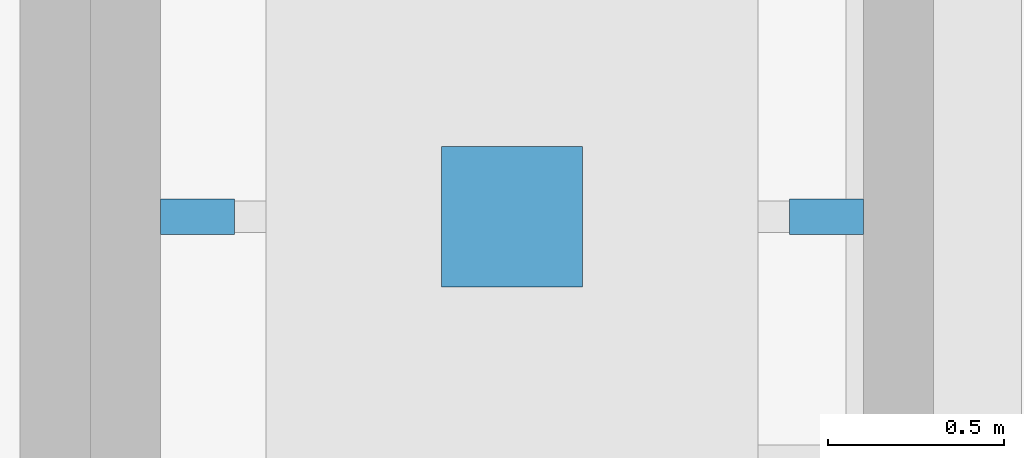
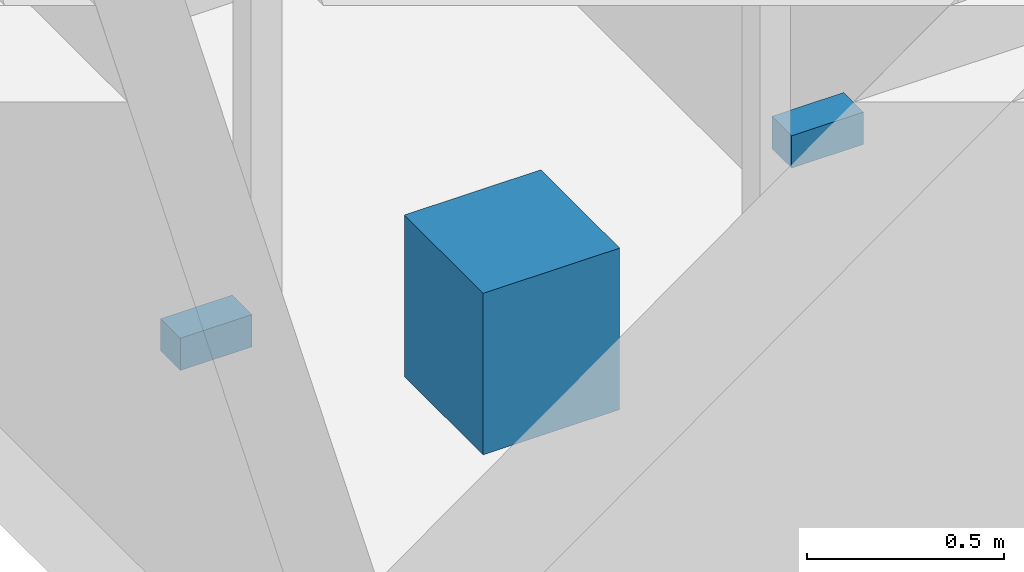
# One storey, part 165 of 250: 3 discrete accessories.
"""IFC4 building model written with IfcOpenShell, lengths in metres."""

from ifc_helpers import new_model, si_unit, direction, frame, origin, origin_2d, place, context, subcontext, project, spatial, rectangle, extrude, material, type_object, element, save


model = new_model("IFC4")

# Units and contexts
model_context = context("Model", 3, precision=1e-05, world=origin(), true_north=direction((0.0, 1.0)))
body_context = subcontext(model_context, "Body", "Model", "MODEL_VIEW")
ifc_project = project(units=[si_unit("LENGTHUNIT", "METRE"), si_unit("AREAUNIT", "SQUARE_METRE"), si_unit("VOLUMEUNIT", "CUBIC_METRE"), si_unit("PLANEANGLEUNIT", "RADIAN"), si_unit("MASSUNIT", "GRAM", prefix="KILO")], contexts=[model_context])

# Site, building, storey
site_placement = place(None, origin())
site = spatial("IfcSite", under=ifc_project, at=site_placement, CompositionType="ELEMENT")
building_placement = place(site_placement, origin())
building = spatial("IfcBuilding", under=site, at=building_placement, Name="Baradari Gate Terminus", CompositionType="ELEMENT")
storey_placement = place(building_placement, origin())
storey = spatial("IfcBuildingStorey", under=building, at=storey_placement, Name="L00", CompositionType="ELEMENT", Elevation=0.0)

# Discrete accessories
ifc_material_1 = material(Name="Steel S355", Category="steel")
discrete_accessory_type_1 = type_object("IfcDiscreteAccessoryType", Name="Lift buffer BF-1 400x400x500", PredefinedType="SHOE", material=ifc_material_1)
discrete_accessory_placement = place(storey_placement, frame((124.800048828125, 100.25, -1.60009765625), z_axis=(0.0, 0.0, 1.0), x_axis=(1.0, 0.0, 0.0)))
element("IfcDiscreteAccessory", 1, at=discrete_accessory_placement, inside=storey, type_object=discrete_accessory_type_1, Name="Lift buffer LH2", PredefinedType="SHOE", context=body_context, shape_type="SweptSolid", body=[
    extrude(rectangle(XDim=0.39990234375, YDim=0.39990234375, at=origin_2d()), origin(), (0.0, 0.0, 1.0), 0.5),
])
ifc_material_2 = material(Name="Steel S355", Category="steel")
discrete_accessory_type_2 = type_object("IfcDiscreteAccessoryType", Name="Lift rail bracket RB-L1 100x100", PredefinedType="BRACKET", material=ifc_material_2)
for number, where, z_axis, x_axis, name in (
    (2, (123.905029296875, 100.25, -1.150146484375), (0.0, 0.0, 1.0), (1.0, 0.0, 0.0), "Lift rail bracket LH2 1A"),
    (3, (125.695068359375, 100.25, -1.150146484375), (0.0, 0.0, 1.0), (1.0, 0.0, 0.0), "Lift rail bracket LH2 2A"),
):
    element("IfcDiscreteAccessory", number, at=place(storey_placement, frame(where, z_axis=z_axis, x_axis=x_axis)), inside=storey, type_object=discrete_accessory_type_2, Name=name, PredefinedType="BRACKET", context=body_context, shape_type="SweptSolid", body=[
        extrude(rectangle(XDim=0.2099609375, YDim=0.10009765625, at=origin_2d()), origin(), (0.0, 0.0, 1.0), 0.10009765625),
    ])

save(model, "model.ifc")
